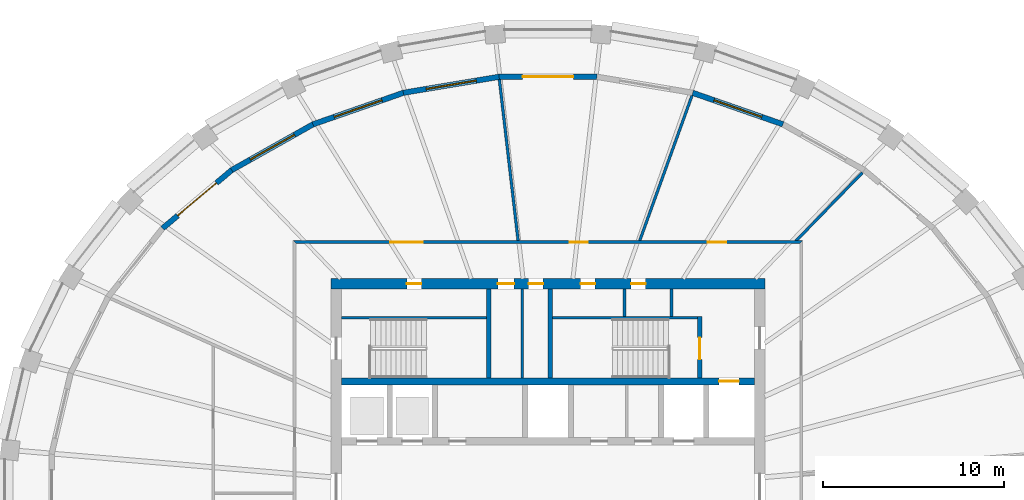
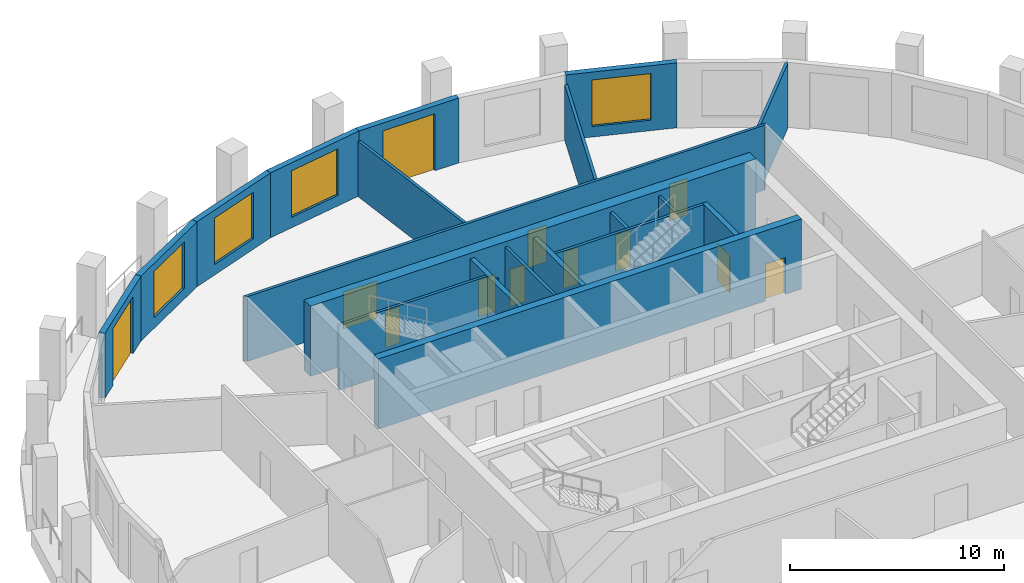
# One storey, part 6 of 10: 20 walls, 12 doors, 4 windows, 16 openings.
"""IFC4 building model written with IfcOpenShell, lengths in metres."""

from ifc_helpers import new_model, si_unit, direction, frame, frame_2d, origin, place, context, subcontext, project, spatial, polyline, rectangle, outline, extrude, material, layer, layer_set, type_object, element, fill, save


model = new_model("IFC4")

# Units and contexts
model_context = context("Model", 3, precision=1e-05, world=origin(), true_north=direction((0.0, 1.0)))
body_context = subcontext(model_context, "Body", "Model", "MODEL_VIEW")
ifc_project = project(units=[si_unit("LENGTHUNIT", "METRE"), si_unit("AREAUNIT", "SQUARE_METRE"), si_unit("VOLUMEUNIT", "CUBIC_METRE"), si_unit("PLANEANGLEUNIT", "RADIAN"), si_unit("MASSUNIT", "GRAM", prefix="KILO")], contexts=[model_context])

# Site, building, storey
site_placement = place(None, origin())
site = spatial("IfcSite", under=ifc_project, at=site_placement, CompositionType="ELEMENT")
building_placement = place(site_placement, origin())
building = spatial("IfcBuilding", under=site, at=building_placement, Name="Halqa Exchange Tower", CompositionType="ELEMENT")
storey_placement = place(building_placement, frame((0.0, 0.0, 264.300048828125)))
storey = spatial("IfcBuildingStorey", under=building, at=storey_placement, Name="L61", CompositionType="ELEMENT", Elevation=264.300048828125)

# Wall, openings, doors
ifc_material_1 = material(Name="Fire-rated gypsum board")
ifc_layer_1 = layer(ifc_material_1, 0.14990234375)
ifc_layer_set_1 = layer_set([ifc_layer_1], Name="Fire-rated gypsum board")
wall_type_1 = type_object("IfcWallType", Name="Fire partition EI 60 150", PredefinedType="PARTITIONING", material=ifc_layer_set_1)
wall_1_placement = place(storey_placement, frame((-14.074951171875, 14.0, 0.0), z_axis=(0.0, 0.0, 1.0), x_axis=(1.0, 0.0, 0.0)))
wall_1 = element("IfcWall", 1, at=wall_1_placement, inside=storey, type_object=wall_type_1, Name="L61-PWL-012", PredefinedType="PARTITIONING", context=body_context, shape_type="SweptSolid", body=[
    extrude(outline(polyline([(0.14990234375, -0.074951171875), (2.13916015625, -0.074951171875), (4.12841796875, -0.074951171875), (6.11767578125, -0.074951171875), (8.107177734375, -0.074951171875), (10.096435546875, -0.074951171875), (12.085693359375, -0.074951171875), (14.074951171875, -0.074951171875), (16.064208984375, -0.074951171875), (18.053466796875, -0.074951171875), (20.042724609375, -0.074951171875), (22.0322265625, -0.074951171875), (24.021484375, -0.074951171875), (26.0107421875, -0.074951171875), (28.0, -0.074951171875), (28.14990234375, 0.074951171875), (26.273193359375, 0.074951171875), (24.396484375, 0.074951171875), (22.52001953125, 0.074951171875), (20.643310546875, 0.074951171875), (18.7666015625, 0.074951171875), (16.889892578125, 0.074951171875), (15.01318359375, 0.074951171875), (13.13671875, 0.074951171875), (11.260009765625, 0.074951171875), (9.38330078125, 0.074951171875), (7.506591796875, 0.074951171875), (5.6298828125, 0.074951171875), (3.75341796875, 0.074951171875), (1.876708984375, 0.074951171875), (0.0, 0.074951171875), (0.14990234375, -0.074951171875)])), origin(), (0.0, 0.0, 1.0), 3.699951171875),
])
opening_1_placement = place(wall_1_placement, frame((22.9150390625, 0.0, 0.0)))
opening_1 = element("IfcOpeningElement", 2, at=opening_1_placement, cuts=wall_1, Name="Opening 18-04", PredefinedType="OPENING", context=body_context, shape_type="SweptSolid", body=[
    extrude(rectangle(XDim=1.0, YDim=2.10009765625, at=frame_2d((0.5, 1.050048828125))), frame((0.0, 0.0869140625, 0.0), z_axis=(0.0, -1.0, 0.0), x_axis=(1.0, 0.0, 0.0)), (0.0, 0.0, 1.0), 0.173828125),
])
opening_2_placement = place(wall_1_placement, frame((15.27490234375, 0.0, 0.0)))
opening_2 = element("IfcOpeningElement", 3, at=opening_2_placement, cuts=wall_1, Name="Opening 18-05", PredefinedType="OPENING", context=body_context, shape_type="SweptSolid", body=[
    extrude(rectangle(XDim=1.0, YDim=2.10009765625, at=frame_2d((0.5, 1.050048828125))), frame((0.0, 0.0869140625, 0.0), z_axis=(0.0, -1.0, 0.0), x_axis=(1.0, 0.0, 0.0)), (0.0, 0.0, 1.0), 0.173828125),
])
opening_3_placement = place(wall_1_placement, frame((5.35498046875, 0.0, 0.0)))
opening_3 = element("IfcOpeningElement", 4, at=opening_3_placement, cuts=wall_1, Name="Opening 18-06", PredefinedType="OPENING", context=body_context, shape_type="SweptSolid", body=[
    extrude(rectangle(XDim=1.800048828125, YDim=2.10009765625, at=frame_2d((0.89990234375, 1.050048828125))), frame((0.0, 0.0869140625, 0.0), z_axis=(0.0, -1.0, 0.0), x_axis=(1.0, 0.0, 0.0)), (0.0, 0.0, 1.0), 0.173828125),
])
ifc_material_2 = material(Name="Steel fire door leaf", Category="steel")
door_type_1 = type_object("IfcDoorType", Name="Fire door FD30S 1000 x 2100", OperationType="SINGLE_SWING_LEFT", PredefinedType="DOOR", material=ifc_material_2)
door_1_placement = place(opening_1_placement, origin())
door_1 = element("IfcDoor", 5, at=door_1_placement, inside=storey, type_object=door_type_1, Name="L61-IDR-004", OperationType="SINGLE_SWING_RIGHT", OverallHeight=2.10009765625, OverallWidth=1.0, PredefinedType="DOOR", context=body_context, shape_type="SweptSolid", body=[
    extrude(rectangle(XDim=1.0, YDim=2.10009765625, at=frame_2d((0.5, 1.050048828125))), frame((0.0, 0.02490234375, 0.0), z_axis=(0.0, -1.0, 0.0), x_axis=(1.0, 0.0, 0.0)), (0.0, 0.0, 1.0), 0.050048828125),
])
fill(opening_1, door_1)
door_2_placement = place(opening_2_placement, origin())
door_2 = element("IfcDoor", 6, at=door_2_placement, inside=storey, type_object=door_type_1, Name="L61-IDR-005", OperationType="SINGLE_SWING_RIGHT", OverallHeight=2.10009765625, OverallWidth=1.0, PredefinedType="DOOR", context=body_context, shape_type="SweptSolid", body=[
    extrude(rectangle(XDim=1.0, YDim=2.10009765625, at=frame_2d((0.5, 1.050048828125))), frame((0.0, 0.02490234375, 0.0), z_axis=(0.0, -1.0, 0.0), x_axis=(1.0, 0.0, 0.0)), (0.0, 0.0, 1.0), 0.050048828125),
])
fill(opening_2, door_2)
door_type_2 = type_object("IfcDoorType", Name="Fire door FD30S double 1800 x 2100", OperationType="DOUBLE_DOOR_SINGLE_SWING", PredefinedType="DOOR", material=ifc_material_2)
door_3_placement = place(opening_3_placement, origin())
door_3 = element("IfcDoor", 7, at=door_3_placement, inside=storey, type_object=door_type_2, Name="L61-IDR-006", OperationType="DOUBLE_DOOR_SINGLE_SWING", OverallHeight=2.10009765625, OverallWidth=1.800048828125, PredefinedType="DOOR", context=body_context, shape_type="SweptSolid", body=[
    extrude(rectangle(XDim=1.800048828125, YDim=2.10009765625, at=frame_2d((0.89990234375, 1.050048828125))), frame((0.0, 0.02490234375, 0.0), z_axis=(0.0, -1.0, 0.0), x_axis=(1.0, 0.0, 0.0)), (0.0, 0.0, 1.0), 0.050048828125),
])
fill(opening_3, door_3)

# Walls
wall_2_placement = place(storey_placement, frame((-1.647705078125, 14.066650390625, 0.0), z_axis=(0.0, 0.0, 1.0), x_axis=(-0.115608238976, 0.993294888279, 0.0)))
element("IfcWall", 8, at=wall_2_placement, inside=storey, type_object=wall_type_1, Name="L61-PWL-013", PredefinedType="PARTITIONING", context=body_context, shape_type="SweptSolid", body=[
    extrude(outline(polyline([(0.0, -0.074951171875), (1.793701171875, -0.074951171875), (3.58740234375, -0.074951171875), (5.381103515625, -0.074951171875), (7.174560546875, -0.074951171875), (8.96826171875, -0.074951171875), (8.972900390625, -0.03564453125), (8.972900390625, 0.074951171875), (7.181640625, 0.074951171875), (5.390625, 0.074951171875), (3.599365234375, 0.074951171875), (1.808349609375, 0.074951171875), (0.01708984375, 0.074951171875), (0.0, -0.072265625), (0.0, -0.074951171875)])), origin(), (0.0, 0.0, 1.0), 3.14990234375),
])
wall_3_placement = place(storey_placement, frame((5.05810546875, 14.0498046875, 0.0), z_axis=(0.0, 0.0, 1.0), x_axis=(0.339015479588, 0.940780795191, 0.0)))
element("IfcWall", 9, at=wall_3_placement, inside=storey, type_object=wall_type_1, Name="L61-PWL-015", PredefinedType="PARTITIONING", context=body_context, shape_type="SweptSolid", body=[
    extrude(outline(polyline([(8.556884765625, -0.074951171875), (8.556884765625, -0.049560546875), (8.556396484375, 0.002197265625), (8.543212890625, 0.074951171875), (6.83447265625, 0.074951171875), (5.1259765625, 0.074951171875), (3.417236328125, 0.074951171875), (1.708740234375, 0.074951171875), (0.0, 0.074951171875), (0.0, 0.07421875), (0.0537109375, -0.074951171875), (1.75439453125, -0.074951171875), (3.455078125, -0.074951171875), (5.15576171875, -0.074951171875), (6.856201171875, -0.074951171875), (8.556884765625, -0.074951171875)])), origin(), (0.0, 0.0, 1.0), 3.14990234375),
])
wall_4_placement = place(storey_placement, frame((13.662353515625, 14.02294921875, 0.0), z_axis=(0.0, 0.0, 1.0), x_axis=(0.697340314613, 0.716740179992, 0.0)))
element("IfcWall", 10, at=wall_4_placement, inside=storey, type_object=wall_type_1, Name="L61-PWL-016", PredefinedType="PARTITIONING", context=body_context, shape_type="SweptSolid", body=[
    extrude(outline(polyline([(0.0, 0.074951171875), (0.0, 0.07470703125), (0.1455078125, -0.074951171875), (1.871337890625, -0.074951171875), (3.597412109375, -0.074951171875), (5.3232421875, -0.074951171875), (5.3232421875, 0.074951171875), (3.548828125, 0.074951171875), (1.7744140625, 0.074951171875), (0.0, 0.074951171875)])), origin(), (0.0, 0.0, 1.0), 3.699951171875),
])
ifc_material_3 = material(Name="Gypsum board")
ifc_layer_2 = layer(ifc_material_3, 0.14990234375)
ifc_layer_set_2 = layer_set([ifc_layer_2], Name="Gypsum board")
wall_type_2 = type_object("IfcWallType", Name="Penthouse riser wall 150 gypsum", PredefinedType="PARTITIONING", material=ifc_layer_set_2)
wall_5_placement = place(storey_placement, frame((-1.425048828125, 6.5, 0.0), z_axis=(0.0, 0.0, 1.0), x_axis=(0.0, 1.0, 0.0)))
element("IfcWall", 11, at=wall_5_placement, inside=storey, type_object=wall_type_2, Name="Partition W1.425 N", PredefinedType="PARTITIONING", context=body_context, shape_type="SweptSolid", body=[
    extrude(rectangle(XDim=4.89990234375, YDim=0.14990234375, at=frame_2d((2.449951171875, 0.0))), origin(), (0.0, 0.0, 1.0), 3.699951171875),
])
for number, where, z_axis, x_axis, name in (
    (12, (4.22509765625, 9.89990234375, 0.0), (0.0, 0.0, 1.0), (0.0, 1.0, 0.0), "Partition E4.225 N"),
    (13, (6.824951171875, 9.89990234375, 0.0), (0.0, 0.0, 1.0), (0.0, 1.0, 0.0), "Firefighting lobby west wall N"),
):
    element("IfcWall", number, at=place(storey_placement, frame(where, z_axis=z_axis, x_axis=x_axis)), inside=storey, type_object=wall_type_2, Name=name, PredefinedType="PARTITIONING", context=body_context, shape_type="SweptSolid", body=[
        extrude(rectangle(XDim=1.5, YDim=0.14990234375, at=frame_2d((0.75, 0.0))), origin(), (0.0, 0.0, 1.0), 3.699951171875),
    ])

# Wall, opening, door
ifc_material_4 = material(Name="Concrete C60/75", Category="concrete")
ifc_layer_3 = layer(ifc_material_4, 0.39990234375)
ifc_layer_set_3 = layer_set([ifc_layer_3], Name="Concrete C60/75")
wall_type_3 = type_object("IfcWallType", Name="RC core wall 400 C60/75", PredefinedType="SHEAR", material=ifc_layer_set_3)
wall_6_placement = place(storey_placement, frame((-11.39990234375, 6.300048828125, 0.0), z_axis=(0.0, 0.0, 1.0), x_axis=(1.0, 0.0, 0.0)))
wall_6 = element("IfcWall", 14, at=wall_6_placement, inside=storey, type_object=wall_type_3, Name="Lift row back wall N", PredefinedType="SHEAR", context=body_context, shape_type="SweptSolid", body=[
    extrude(rectangle(XDim=22.7998046875, YDim=0.39990234375, at=frame_2d((11.39990234375, 0.0))), origin(), (0.0, 0.0, 1.0), 4.0),
])
opening_4_placement = place(wall_6_placement, frame((20.85009765625, 0.0, 0.0)))
opening_4 = element("IfcOpeningElement", 15, at=opening_4_placement, cuts=wall_6, Name="Opening LD-FF1-T18", PredefinedType="OPENING", context=body_context, shape_type="SweptSolid", body=[
    extrude(rectangle(XDim=1.10009765625, YDim=2.10009765625, at=frame_2d((0.550048828125, 1.050048828125))), frame((0.0, 0.2119140625, 0.0), z_axis=(0.0, -1.0, 0.0), x_axis=(1.0, 0.0, 0.0)), (0.0, 0.0, 1.0), 0.423828125),
])
ifc_material_5 = material(Name="Stainless steel", Category="steel")
door_type_3 = type_object("IfcDoorType", Name="Lift landing door 1100 x 2100", OperationType="SLIDING_TO_LEFT", PredefinedType="DOOR", material=ifc_material_5)
door_4_placement = place(opening_4_placement, origin())
door_4 = element("IfcDoor", 16, at=door_4_placement, inside=storey, type_object=door_type_3, Name="Lift landing door FF1", OperationType="SLIDING_TO_LEFT", OverallHeight=2.10009765625, OverallWidth=1.10009765625, PredefinedType="DOOR", context=body_context, shape_type="SweptSolid", body=[
    extrude(rectangle(XDim=1.10009765625, YDim=2.10009765625, at=frame_2d((0.550048828125, 1.050048828125))), frame((0.0, 0.02490234375, 0.0), z_axis=(0.0, -1.0, 0.0), x_axis=(1.0, 0.0, 0.0)), (0.0, 0.0, 1.0), 0.050048828125),
])
fill(opening_4, door_4)

# Wall, openings, doors
ifc_layer_4 = layer(ifc_material_4, 0.60009765625)
ifc_layer_set_4 = layer_set([ifc_layer_4], Name="Concrete C60/75")
wall_type_4 = type_object("IfcWallType", Name="RC core wall 600 C60/75", PredefinedType="SHEAR", material=ifc_layer_set_4)
wall_7_placement = place(storey_placement, frame((-12.0, 11.699951171875, 0.0), z_axis=(0.0, 0.0, 1.0), x_axis=(1.0, 0.0, 0.0)))
wall_7 = element("IfcWall", 17, at=wall_7_placement, inside=storey, type_object=wall_type_4, Name="Core wall north", PredefinedType="SHEAR", context=body_context, shape_type="SweptSolid", body=[
    extrude(rectangle(XDim=24.0, YDim=0.60009765625, at=frame_2d((12.0, 0.0))), origin(), (0.0, 0.0, 1.0), 4.0),
])
opening_5_placement = place(wall_7_placement, frame((9.22509765625, 0.0, 0.0)))
opening_5 = element("IfcOpeningElement", 18, at=opening_5_placement, cuts=wall_7, Name="Opening T18-C17", PredefinedType="OPENING", context=body_context, shape_type="SweptSolid", body=[
    extrude(rectangle(XDim=0.89990234375, YDim=2.10009765625, at=frame_2d((0.449951171875, 1.050048828125))), frame((0.0, 0.31201171875, 0.0), z_axis=(0.0, -1.0, 0.0), x_axis=(1.0, 0.0, 0.0)), (0.0, 0.0, 1.0), 0.6240234375),
])
opening_6_placement = place(wall_7_placement, frame((10.925048828125, 0.0, 0.0)))
opening_6 = element("IfcOpeningElement", 19, at=opening_6_placement, cuts=wall_7, Name="Opening T18-C18", PredefinedType="OPENING", context=body_context, shape_type="SweptSolid", body=[
    extrude(rectangle(XDim=0.800048828125, YDim=2.10009765625, at=frame_2d((0.39990234375, 1.050048828125))), frame((0.0, 0.31201171875, 0.0), z_axis=(0.0, -1.0, 0.0), x_axis=(1.0, 0.0, 0.0)), (0.0, 0.0, 1.0), 0.6240234375),
])
opening_7_placement = place(wall_7_placement, frame((4.199951171875, 0.0, 0.0)))
opening_7 = element("IfcOpeningElement", 20, at=opening_7_placement, cuts=wall_7, Name="Opening T18-C19", PredefinedType="OPENING", context=body_context, shape_type="SweptSolid", body=[
    extrude(rectangle(XDim=0.800048828125, YDim=2.10009765625, at=frame_2d((0.39990234375, 1.050048828125))), frame((0.0, 0.31201171875, 0.0), z_axis=(0.0, -1.0, 0.0), x_axis=(1.0, 0.0, 0.0)), (0.0, 0.0, 1.0), 0.6240234375),
])
opening_8_placement = place(wall_7_placement, frame((13.800048828125, 0.0, 0.0)))
opening_8 = element("IfcOpeningElement", 21, at=opening_8_placement, cuts=wall_7, Name="Opening T18-C20", PredefinedType="OPENING", context=body_context, shape_type="SweptSolid", body=[
    extrude(rectangle(XDim=0.800048828125, YDim=2.10009765625, at=frame_2d((0.39990234375, 1.050048828125))), frame((0.0, 0.31201171875, 0.0), z_axis=(0.0, -1.0, 0.0), x_axis=(1.0, 0.0, 0.0)), (0.0, 0.0, 1.0), 0.6240234375),
])
opening_9_placement = place(wall_7_placement, frame((16.60009765625, 0.0, 0.0)))
opening_9 = element("IfcOpeningElement", 22, at=opening_9_placement, cuts=wall_7, Name="Opening T18-C21", PredefinedType="OPENING", context=body_context, shape_type="SweptSolid", body=[
    extrude(rectangle(XDim=0.800048828125, YDim=2.10009765625, at=frame_2d((0.39990234375, 1.050048828125))), frame((0.0, 0.31201171875, 0.0), z_axis=(0.0, -1.0, 0.0), x_axis=(1.0, 0.0, 0.0)), (0.0, 0.0, 1.0), 0.6240234375),
])
ifc_material_6 = material(Name="Timber fire door leaf", Category="wood")
door_type_4 = type_object("IfcDoorType", Name="Core room door FD30 900 x 2100", OperationType="SINGLE_SWING_LEFT", PredefinedType="DOOR", material=ifc_material_6)
door_5_placement = place(opening_5_placement, frame((0.89990234375, 0.0, 0.0), z_axis=(0.0, 0.0, 1.0), x_axis=(-1.0, 0.0, 0.0)))
door_5 = element("IfcDoor", 23, at=door_5_placement, inside=storey, type_object=door_type_4, Name="Core room door", OperationType="SINGLE_SWING_LEFT", OverallHeight=2.10009765625, OverallWidth=0.89990234375, PredefinedType="DOOR", context=body_context, shape_type="SweptSolid", body=[
    extrude(rectangle(XDim=0.89990234375, YDim=2.10009765625, at=frame_2d((0.449951171875, 1.050048828125))), frame((0.0, 0.02490234375, 0.0), z_axis=(0.0, -1.0, 0.0), x_axis=(1.0, 0.0, 0.0)), (0.0, 0.0, 1.0), 0.050048828125),
])
fill(opening_5, door_5)
door_type_5 = type_object("IfcDoorType", Name="Riser door FD60 800 x 2100", OperationType="SINGLE_SWING_LEFT", PredefinedType="DOOR", material=ifc_material_2)
door_6_placement = place(opening_6_placement, frame((0.800048828125, 0.0, 0.0), z_axis=(0.0, 0.0, 1.0), x_axis=(-1.0, 0.0, 0.0)))
door_6 = element("IfcDoor", 24, at=door_6_placement, inside=storey, type_object=door_type_5, Name="Core room door", OperationType="SINGLE_SWING_RIGHT", OverallHeight=2.10009765625, OverallWidth=0.800048828125, PredefinedType="DOOR", context=body_context, shape_type="SweptSolid", body=[
    extrude(rectangle(XDim=0.800048828125, YDim=2.10009765625, at=frame_2d((0.39990234375, 1.050048828125))), frame((0.0, 0.02490234375, 0.0), z_axis=(0.0, -1.0, 0.0), x_axis=(1.0, 0.0, 0.0)), (0.0, 0.0, 1.0), 0.050048828125),
])
fill(opening_6, door_6)
door_7_placement = place(opening_7_placement, frame((0.800048828125, 0.0, 0.0), z_axis=(0.0, 0.0, 1.0), x_axis=(-1.0, 0.0, 0.0)))
door_7 = element("IfcDoor", 25, at=door_7_placement, inside=storey, type_object=door_type_5, Name="Core room door", OperationType="SINGLE_SWING_RIGHT", OverallHeight=2.10009765625, OverallWidth=0.800048828125, PredefinedType="DOOR", context=body_context, shape_type="SweptSolid", body=[
    extrude(rectangle(XDim=0.800048828125, YDim=2.10009765625, at=frame_2d((0.39990234375, 1.050048828125))), frame((0.0, 0.02490234375, 0.0), z_axis=(0.0, -1.0, 0.0), x_axis=(1.0, 0.0, 0.0)), (0.0, 0.0, 1.0), 0.050048828125),
])
fill(opening_7, door_7)
door_8_placement = place(opening_8_placement, frame((0.800048828125, 0.0, 0.0), z_axis=(0.0, 0.0, 1.0), x_axis=(-1.0, 0.0, 0.0)))
door_8 = element("IfcDoor", 26, at=door_8_placement, inside=storey, type_object=door_type_5, Name="Core room door", OperationType="SINGLE_SWING_LEFT", OverallHeight=2.10009765625, OverallWidth=0.800048828125, PredefinedType="DOOR", context=body_context, shape_type="SweptSolid", body=[
    extrude(rectangle(XDim=0.800048828125, YDim=2.10009765625, at=frame_2d((0.39990234375, 1.050048828125))), frame((0.0, 0.02490234375, 0.0), z_axis=(0.0, -1.0, 0.0), x_axis=(1.0, 0.0, 0.0)), (0.0, 0.0, 1.0), 0.050048828125),
])
fill(opening_8, door_8)
door_9_placement = place(opening_9_placement, frame((0.800048828125, 0.0, 0.0), z_axis=(0.0, 0.0, 1.0), x_axis=(-1.0, 0.0, 0.0)))
door_9 = element("IfcDoor", 27, at=door_9_placement, inside=storey, type_object=door_type_5, Name="Core room door", OperationType="SINGLE_SWING_LEFT", OverallHeight=2.10009765625, OverallWidth=0.800048828125, PredefinedType="DOOR", context=body_context, shape_type="SweptSolid", body=[
    extrude(rectangle(XDim=0.800048828125, YDim=2.10009765625, at=frame_2d((0.39990234375, 1.050048828125))), frame((0.0, 0.02490234375, 0.0), z_axis=(0.0, -1.0, 0.0), x_axis=(1.0, 0.0, 0.0)), (0.0, 0.0, 1.0), 0.050048828125),
])
fill(opening_9, door_9)

# Walls
ifc_material_7 = material(Name="Concrete C30/37", Category="concrete")
ifc_layer_5 = layer(ifc_material_7, 0.14990234375)
ifc_layer_set_5 = layer_set([ifc_layer_5], Name="Concrete C30/37")
wall_type_5 = type_object("IfcWallType", Name="RC stair wall 150 C30/37", PredefinedType="SHEAR", material=ifc_layer_set_5)
for number, where, z_axis, x_axis, name in (
    (28, (-11.39990234375, 9.824951171875, 0.0), (0.0, 0.0, 1.0), (1.0, 0.0, 0.0), "Stair ST1 north wall N"),
    (29, (0.25, 9.824951171875, 0.0), (0.0, 0.0, 1.0), (1.0, 0.0, 0.0), "Stair ST2 north wall N"),
):
    element("IfcWall", number, at=place(storey_placement, frame(where, z_axis=z_axis, x_axis=x_axis)), inside=storey, type_object=wall_type_5, Name=name, PredefinedType="SHEAR", context=body_context, shape_type="SweptSolid", body=[
        extrude(rectangle(XDim=8.0, YDim=0.14990234375, at=frame_2d((4.0, 0.0))), origin(), (0.0, 0.0, 1.0), 3.699951171875),
    ])
ifc_layer_6 = layer(ifc_material_7, 0.25)
ifc_layer_set_6 = layer_set([ifc_layer_6], Name="Concrete C30/37")
wall_type_6 = type_object("IfcWallType", Name="RC stair wall 250 C30/37", PredefinedType="SHEAR", material=ifc_layer_set_6)
for number, where, z_axis, x_axis, name in (
    (30, (-3.27490234375, 6.5, 0.0), (0.0, 0.0, 1.0), (0.0, 1.0, 0.0), "Stair ST1 east wall N"),
    (31, (0.125, 6.5, 0.0), (0.0, 0.0, 1.0), (0.0, 1.0, 0.0), "Stair ST2 west wall N"),
):
    element("IfcWall", number, at=place(storey_placement, frame(where, z_axis=z_axis, x_axis=x_axis)), inside=storey, type_object=wall_type_6, Name=name, PredefinedType="SHEAR", context=body_context, shape_type="SweptSolid", body=[
        extrude(rectangle(XDim=4.89990234375, YDim=0.25, at=frame_2d((2.449951171875, 0.0))), origin(), (0.0, 0.0, 1.0), 3.699951171875),
    ])

# Wall, opening, door
wall_8_placement = place(storey_placement, frame((8.375, 6.5, 0.0), z_axis=(0.0, 0.0, 1.0), x_axis=(0.0, 1.0, 0.0)))
wall_8 = element("IfcWall", 32, at=wall_8_placement, inside=storey, type_object=wall_type_6, Name="Stair ST2 east wall N", PredefinedType="SHEAR", context=body_context, shape_type="SweptSolid", body=[
    extrude(rectangle(XDim=3.39990234375, YDim=0.25, at=frame_2d((1.699951171875, 0.0))), origin(), (0.0, 0.0, 1.0), 3.699951171875),
])
opening_10_placement = place(wall_8_placement, frame((1.02490234375, 0.0, 0.0)))
opening_10 = element("IfcOpeningElement", 33, at=opening_10_placement, cuts=wall_8, Name="Opening T18-C12", PredefinedType="OPENING", context=body_context, shape_type="SweptSolid", body=[
    extrude(rectangle(XDim=1.199951171875, YDim=2.10009765625, at=frame_2d((0.60009765625, 1.050048828125))), frame((0.0, 0.136962890625, 0.0), z_axis=(0.0, -1.0, 0.0), x_axis=(1.0, 0.0, 0.0)), (0.0, 0.0, 1.0), 0.27392578125),
])
door_type_6 = type_object("IfcDoorType", Name="Stair door FD90 1200 x 2100", OperationType="SINGLE_SWING_LEFT", PredefinedType="DOOR", material=ifc_material_2)
door_10_placement = place(opening_10_placement, origin())
door_10 = element("IfcDoor", 34, at=door_10_placement, inside=storey, type_object=door_type_6, Name="Stair door ST2", OperationType="SINGLE_SWING_LEFT", OverallHeight=2.10009765625, OverallWidth=1.199951171875, PredefinedType="DOOR", context=body_context, shape_type="SweptSolid", body=[
    extrude(rectangle(XDim=1.199951171875, YDim=2.10009765625, at=frame_2d((0.60009765625, 1.050048828125))), frame((0.0, 0.02490234375, 0.0), z_axis=(0.0, -1.0, 0.0), x_axis=(1.0, 0.0, 0.0)), (0.0, 0.0, 1.0), 0.050048828125),
])
fill(opening_10, door_10)

# Wall, opening, window
ifc_material_8 = material(Name="Limestone cladding", Category="masonry")
ifc_layer_7 = layer(ifc_material_8, 0.0400390625)
ifc_material_9 = material(Name="Ventilated cavity")
ifc_layer_8 = layer(ifc_material_9, 0.030029296875, ventilated=True)
ifc_material_10 = material(Name="Mineral wool insulation")
ifc_layer_9 = layer(ifc_material_10, 0.10009765625)
ifc_layer_10 = layer(ifc_material_7, 0.10009765625)
ifc_material_11 = material(Name="Internal plaster")
ifc_layer_11 = layer(ifc_material_11, 0.030029296875)
ifc_layer_set_7 = layer_set([ifc_layer_7, ifc_layer_8, ifc_layer_9, ifc_layer_10, ifc_layer_11], Name="Stone-faced insulated wall 300")
wall_type_7 = type_object("IfcWallType", Name="Stone-faced insulated wall 300", PredefinedType="STANDARD", material=ifc_layer_set_7)
wall_9_placement = place(storey_placement, frame((12.983154296875, 20.5048828125, 0.0), z_axis=(0.0, 0.0, 1.0), x_axis=(-0.944149712872, 0.32951679727, 0.0)))
wall_9 = element("IfcWall", 35, at=wall_9_placement, inside=storey, type_object=wall_type_7, Name="Glass-line wall 6", PredefinedType="STANDARD", context=body_context, shape_type="SweptSolid", body=[
    extrude(outline(polyline([(-0.013427734375, -0.14990234375), (5.296875, -0.14990234375), (5.271484375, 0.14990234375), (0.013427734375, 0.14990234375), (-0.013427734375, -0.14990234375)])), origin(), (0.0, 0.0, 1.0), 3.699951171875),
])
opening_11_placement = place(wall_9_placement, frame((1.241943359375, 0.0, 0.60009765625)))
opening_11 = element("IfcOpeningElement", 36, at=opening_11_placement, cuts=wall_9, Name="Opening W-F4-06", PredefinedType="OPENING", context=body_context, shape_type="SweptSolid", body=[
    extrude(rectangle(XDim=2.800048828125, YDim=2.64990234375, at=frame_2d((1.39990234375, 1.324951171875))), frame((0.0, 0.162109375, 0.0), z_axis=(0.0, -1.0, 0.0), x_axis=(1.0, 0.0, 0.0)), (0.0, 0.0, 1.0), 0.323974609375),
])
ifc_material_12 = material(Name="Clear low-emissivity glass in aluminium frame", Category="aluminium")
window_type = type_object("IfcWindowType", Name="Fixed clear glazed window 2800 x 2650", PartitioningType="DOUBLE_PANEL_VERTICAL", PredefinedType="WINDOW", material=ifc_material_12)
window_1_placement = place(opening_11_placement, origin())
window_1 = element("IfcWindow", 37, at=window_1_placement, inside=storey, type_object=window_type, Name="Window 4", OverallHeight=2.64990234375, OverallWidth=2.800048828125, PartitioningType="DOUBLE_PANEL_VERTICAL", PredefinedType="WINDOW", context=body_context, shape_type="SweptSolid", body=[
    extrude(rectangle(XDim=2.800048828125, YDim=2.64990234375, at=frame_2d((1.39990234375, 1.324951171875))), frame((0.0, 0.030029296875, 0.0), z_axis=(0.0, -1.0, 0.0), x_axis=(1.0, 0.0, 0.0)), (0.0, 0.0, 1.0), 0.06005859375),
])
fill(opening_11, window_1)

# Wall, opening, door
wall_10_placement = place(storey_placement, frame((2.69921875, 23.133544921875, 0.0), z_axis=(0.0, 0.0, 1.0), x_axis=(-1.0, 0.0, 0.0)))
wall_10 = element("IfcWall", 38, at=wall_10_placement, inside=storey, type_object=wall_type_7, Name="Glass-line wall 8", PredefinedType="STANDARD", context=body_context, shape_type="SweptSolid", body=[
    extrude(outline(polyline([(-0.012451171875, -0.14990234375), (5.410888671875, -0.14990234375), (5.385986328125, 0.14990234375), (0.012451171875, 0.14990234375), (-0.012451171875, -0.14990234375)])), origin(), (0.0, 0.0, 1.0), 3.699951171875),
])
opening_12_placement = place(wall_10_placement, frame((1.29931640625, 0.0, 0.0)))
opening_12 = element("IfcOpeningElement", 39, at=opening_12_placement, cuts=wall_10, Name="Opening LG-F4-02", PredefinedType="OPENING", context=body_context, shape_type="SweptSolid", body=[
    extrude(rectangle(XDim=2.800048828125, YDim=3.25, at=frame_2d((1.39990234375, 1.625))), frame((0.0, 0.162109375, 0.0), z_axis=(0.0, -1.0, 0.0), x_axis=(1.0, 0.0, 0.0)), (0.0, 0.0, 1.0), 0.323974609375),
])
door_type_7 = type_object("IfcDoorType", Name="Glazed sliding loggia door 2800 x 3250", OperationType="DOUBLE_DOOR_SLIDING", PredefinedType="DOOR", material=ifc_material_12)
door_11_placement = place(opening_12_placement, origin())
door_11 = element("IfcDoor", 40, at=door_11_placement, inside=storey, type_object=door_type_7, Name="Loggia door 2", OperationType="DOUBLE_DOOR_SLIDING", OverallHeight=3.25, OverallWidth=2.800048828125, PredefinedType="DOOR", context=body_context, shape_type="SweptSolid", body=[
    extrude(rectangle(XDim=2.800048828125, YDim=3.25, at=frame_2d((1.39990234375, 1.625))), frame((0.0, 0.02490234375, 0.0), z_axis=(0.0, -1.0, 0.0), x_axis=(1.0, 0.0, 0.0)), (0.0, 0.0, 1.0), 0.050048828125),
])
fill(opening_12, door_11)

# Wall, opening, window
wall_11_placement = place(storey_placement, frame((-2.69921875, 23.133544921875, 0.0), z_axis=(0.0, 0.0, 1.0), x_axis=(-0.986243571741, -0.165298569867, 0.0)))
wall_11 = element("IfcWall", 41, at=wall_11_placement, inside=storey, type_object=wall_type_7, Name="Glass-line wall 9", PredefinedType="STANDARD", context=body_context, shape_type="SweptSolid", body=[
    extrude(outline(polyline([(-0.012451171875, -0.14990234375), (5.381591796875, -0.14990234375), (5.356201171875, 0.14990234375), (0.012451171875, 0.14990234375), (-0.012451171875, -0.14990234375)])), origin(), (0.0, 0.0, 1.0), 3.699951171875),
])
opening_13_placement = place(wall_11_placement, frame((1.284423828125, 0.0, 0.60009765625)))
opening_13 = element("IfcOpeningElement", 42, at=opening_13_placement, cuts=wall_11, Name="Opening W-F4-09", PredefinedType="OPENING", context=body_context, shape_type="SweptSolid", body=[
    extrude(rectangle(XDim=2.800048828125, YDim=2.64990234375, at=frame_2d((1.39990234375, 1.324951171875))), frame((0.0, 0.162109375, 0.0), z_axis=(0.0, -1.0, 0.0), x_axis=(1.0, 0.0, 0.0)), (0.0, 0.0, 1.0), 0.323974609375),
])
window_2_placement = place(opening_13_placement, origin())
window_2 = element("IfcWindow", 43, at=window_2_placement, inside=storey, type_object=window_type, Name="Window 4", OverallHeight=2.64990234375, OverallWidth=2.800048828125, PartitioningType="DOUBLE_PANEL_VERTICAL", PredefinedType="WINDOW", context=body_context, shape_type="SweptSolid", body=[
    extrude(rectangle(XDim=2.800048828125, YDim=2.64990234375, at=frame_2d((1.39990234375, 1.324951171875))), frame((0.0, 0.030029296875, 0.0), z_axis=(0.0, -1.0, 0.0), x_axis=(1.0, 0.0, 0.0)), (0.0, 0.0, 1.0), 0.06005859375),
])
fill(opening_13, window_2)

wall_12_placement = place(storey_placement, frame((-7.994140625, 22.24609375, 0.0), z_axis=(0.0, 0.0, 1.0), x_axis=(-0.944149712872, -0.32951679727, 0.0)))
wall_12 = element("IfcWall", 44, at=wall_12_placement, inside=storey, type_object=wall_type_7, Name="Glass-line wall 10", PredefinedType="STANDARD", context=body_context, shape_type="SweptSolid", body=[
    extrude(outline(polyline([(-0.0126953125, -0.14990234375), (5.297607421875, -0.14990234375), (5.270751953125, 0.14990234375), (0.0126953125, 0.14990234375), (-0.0126953125, -0.14990234375)])), origin(), (0.0, 0.0, 1.0), 3.699951171875),
])
opening_14_placement = place(wall_12_placement, frame((1.241943359375, 0.0, 0.60009765625)))
opening_14 = element("IfcOpeningElement", 45, at=opening_14_placement, cuts=wall_12, Name="Opening W-F4-10", PredefinedType="OPENING", context=body_context, shape_type="SweptSolid", body=[
    extrude(rectangle(XDim=2.800048828125, YDim=2.64990234375, at=frame_2d((1.39990234375, 1.324951171875))), frame((0.0, 0.162109375, 0.0), z_axis=(0.0, -1.0, 0.0), x_axis=(1.0, 0.0, 0.0)), (0.0, 0.0, 1.0), 0.323974609375),
])
window_3_placement = place(opening_14_placement, origin())
window_3 = element("IfcWindow", 46, at=window_3_placement, inside=storey, type_object=window_type, Name="Window 4", OverallHeight=2.64990234375, OverallWidth=2.800048828125, PartitioningType="DOUBLE_PANEL_VERTICAL", PredefinedType="WINDOW", context=body_context, shape_type="SweptSolid", body=[
    extrude(rectangle(XDim=2.800048828125, YDim=2.64990234375, at=frame_2d((1.39990234375, 1.324951171875))), frame((0.0, 0.030029296875, 0.0), z_axis=(0.0, -1.0, 0.0), x_axis=(1.0, 0.0, 0.0)), (0.0, 0.0, 1.0), 0.06005859375),
])
fill(opening_14, window_3)

wall_13_placement = place(storey_placement, frame((-12.983154296875, 20.5048828125, 0.0), z_axis=(0.0, 0.0, 1.0), x_axis=(-0.871411047742, -0.490553550465, 0.0)))
wall_13 = element("IfcWall", 47, at=wall_13_placement, inside=storey, type_object=wall_type_7, Name="Glass-line wall 11", PredefinedType="STANDARD", context=body_context, shape_type="SweptSolid", body=[
    extrude(outline(polyline([(-0.013427734375, -0.14990234375), (5.168701171875, -0.14990234375), (5.140380859375, 0.14990234375), (0.013427734375, 0.14990234375), (-0.013427734375, -0.14990234375)])), origin(), (0.0, 0.0, 1.0), 3.699951171875),
])
opening_15_placement = place(wall_13_placement, frame((1.17724609375, 0.0, 0.60009765625)))
opening_15 = element("IfcOpeningElement", 48, at=opening_15_placement, cuts=wall_13, Name="Opening W-F4-11", PredefinedType="OPENING", context=body_context, shape_type="SweptSolid", body=[
    extrude(rectangle(XDim=2.800048828125, YDim=2.64990234375, at=frame_2d((1.39990234375, 1.324951171875))), frame((0.0, 0.162109375, 0.0), z_axis=(0.0, -1.0, 0.0), x_axis=(1.0, 0.0, 0.0)), (0.0, 0.0, 1.0), 0.323974609375),
])
window_4_placement = place(opening_15_placement, origin())
window_4 = element("IfcWindow", 49, at=window_4_placement, inside=storey, type_object=window_type, Name="Window 4", OverallHeight=2.64990234375, OverallWidth=2.800048828125, PartitioningType="DOUBLE_PANEL_VERTICAL", PredefinedType="WINDOW", context=body_context, shape_type="SweptSolid", body=[
    extrude(rectangle(XDim=2.800048828125, YDim=2.64990234375, at=frame_2d((1.39990234375, 1.324951171875))), frame((0.0, 0.030029296875, 0.0), z_axis=(0.0, -1.0, 0.0), x_axis=(1.0, 0.0, 0.0)), (0.0, 0.0, 1.0), 0.06005859375),
])
fill(opening_15, window_4)

# Wall, opening, door
wall_14_placement = place(storey_placement, frame((-17.474853515625, 17.976318359375, 0.0), z_axis=(0.0, 0.0, 1.0), x_axis=(-0.764746492461, -0.644331283013, 0.0)))
wall_14 = element("IfcWall", 50, at=wall_14_placement, inside=storey, type_object=wall_type_7, Name="Glass-line wall 12", PredefinedType="STANDARD", context=body_context, shape_type="SweptSolid", body=[
    extrude(outline(polyline([(-0.01416015625, -0.14990234375), (5.012939453125, -0.14990234375), (4.982666015625, 0.14990234375), (0.01416015625, 0.14990234375), (-0.01416015625, -0.14990234375)])), origin(), (0.0, 0.0, 1.0), 3.699951171875),
])
opening_16_placement = place(wall_14_placement, frame((1.098876953125, 0.0, 0.0)))
opening_16 = element("IfcOpeningElement", 51, at=opening_16_placement, cuts=wall_14, Name="Opening LG-F4-03", PredefinedType="OPENING", context=body_context, shape_type="SweptSolid", body=[
    extrude(rectangle(XDim=2.800048828125, YDim=3.25, at=frame_2d((1.39990234375, 1.625))), frame((0.0, 0.162109375, 0.0), z_axis=(0.0, -1.0, 0.0), x_axis=(1.0, 0.0, 0.0)), (0.0, 0.0, 1.0), 0.323974609375),
])
door_12_placement = place(opening_16_placement, origin())
door_12 = element("IfcDoor", 52, at=door_12_placement, inside=storey, type_object=door_type_7, Name="Loggia door 3", OperationType="DOUBLE_DOOR_SLIDING", OverallHeight=3.25, OverallWidth=2.800048828125, PredefinedType="DOOR", context=body_context, shape_type="SweptSolid", body=[
    extrude(rectangle(XDim=2.800048828125, YDim=3.25, at=frame_2d((1.39990234375, 1.625))), frame((0.0, 0.02490234375, 0.0), z_axis=(0.0, -1.0, 0.0), x_axis=(1.0, 0.0, 0.0)), (0.0, 0.0, 1.0), 0.050048828125),
])
fill(opening_16, door_12)

save(model, "model.ifc")
